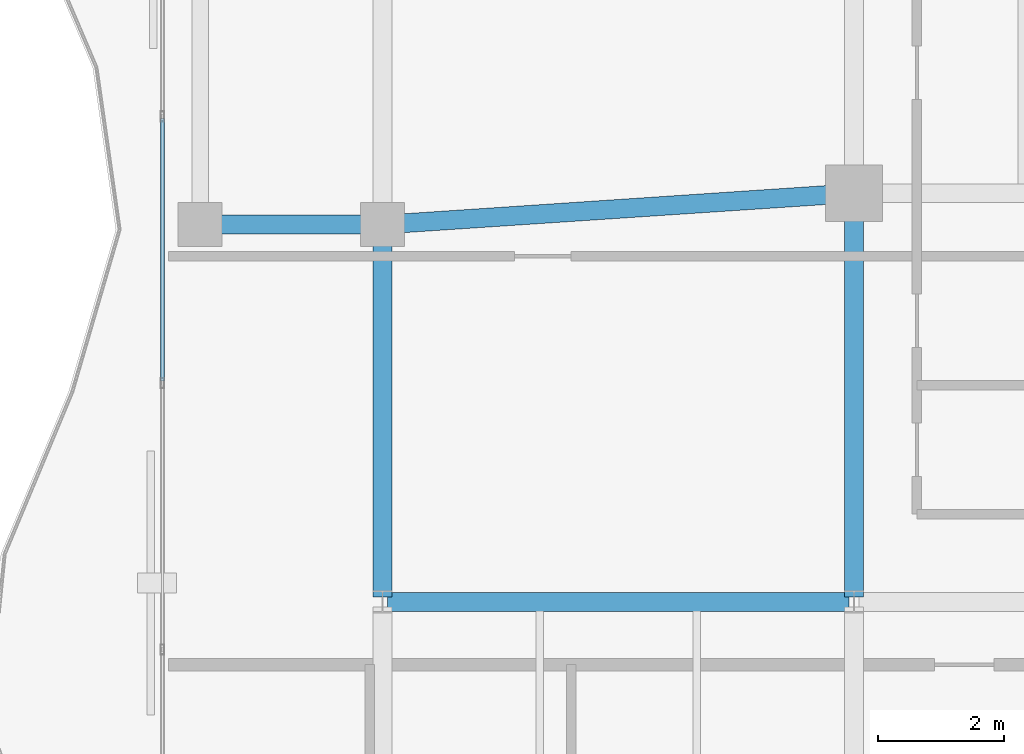
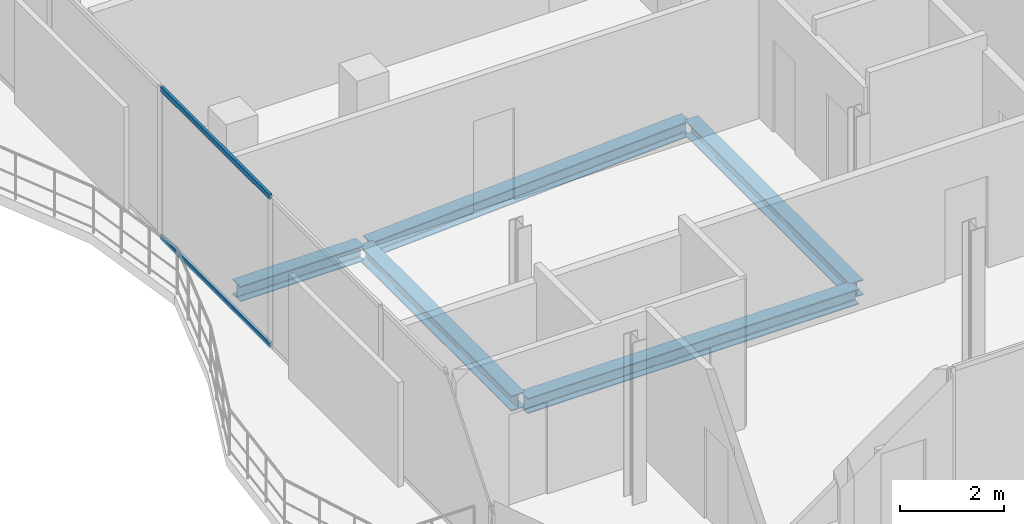
# One storey, part 6 of 22: 5 beams, 2 members, 1 element without a shape of its own.
"""IFC4 building model written with IfcOpenShell, lengths in metres."""

from ifc_helpers import new_model, si_unit, direction, frame, origin, origin_2d, place, context, subcontext, project, spatial, hollow_rectangle, i_section, extrude, material, layer, layer_set, material_profile, profile_set, type_object, element, aggregate, save


model = new_model("IFC4")

# Units and contexts
model_context = context("Model", 3, precision=1e-05, world=origin(), true_north=direction((0.0, 1.0)))
body_context = subcontext(model_context, "Body", "Model", "MODEL_VIEW")
ifc_project = project(units=[si_unit("LENGTHUNIT", "METRE"), si_unit("AREAUNIT", "SQUARE_METRE"), si_unit("VOLUMEUNIT", "CUBIC_METRE"), si_unit("PLANEANGLEUNIT", "RADIAN"), si_unit("MASSUNIT", "GRAM", prefix="KILO")], contexts=[model_context])

# Site, building, storey
site_placement = place(None, origin())
site = spatial("IfcSite", under=ifc_project, at=site_placement, CompositionType="ELEMENT")
building_placement = place(site_placement, origin())
building = spatial("IfcBuilding", under=site, at=building_placement, Name="Catumbela Crestline Tower", CompositionType="ELEMENT")
storey_placement = place(building_placement, frame((0.0, 0.0, 260.2)))
storey = spatial("IfcBuildingStorey", under=building, at=storey_placement, Name="L67", CompositionType="ELEMENT", Elevation=260.2)

# Beams
ifc_material_1 = material(Name="Structural steel S355J2", Category="steel")
ifc_material_profile_1 = material_profile(ifc_material_1, i_section(OverallWidth=0.3, OverallDepth=0.36, WebThickness=0.0125, FlangeThickness=0.0225, FilletRadius=0.027, at=origin_2d()), Name="HEB 360")
ifc_profile_set_1 = profile_set([ifc_material_profile_1], Name="Structural steel S355J2")
beam_type = type_object("IfcBeamType", Name="BG-HEB360", PredefinedType="BEAM", material=ifc_profile_set_1)
beam_1_placement = place(storey_placement, frame((5.68, 24.0, -0.44), z_axis=(1.0, 0.0, 0.0), x_axis=(0.0, 1.0, 0.0)))
element("IfcBeam", 1, at=beam_1_placement, inside=storey, type_object=beam_type, Name="L67 Beam BM-L67-S01", PredefinedType="BEAM", context=body_context, shape_type="SweptSolid", body=[
    extrude(i_section(OverallWidth=0.3, OverallDepth=0.36, WebThickness=0.0125, FlangeThickness=0.0225, FilletRadius=0.027, at=origin_2d()), origin(), (0.0, 0.0, 1.0), 2.74),
])
beam_2_placement = place(storey_placement, frame((8.5798, 24.0053, -0.44), z_axis=(0.997784796964, 0.066524423687, 0.0), x_axis=(-0.066524423687, 0.997784796964, 0.0)))
element("IfcBeam", 2, at=beam_2_placement, inside=storey, type_object=beam_type, Name="L67 Beam BM-L67-S02", PredefinedType="BEAM", context=body_context, shape_type="SweptSolid", body=[
    extrude(i_section(OverallWidth=0.3, OverallDepth=0.36, WebThickness=0.0125, FlangeThickness=0.0225, FilletRadius=0.027, at=origin_2d()), origin(), (0.0, 0.0, 1.0), 7.3567),
])
beam_3_placement = place(storey_placement, frame((8.58, 18.0, -0.44), z_axis=(1.0, 0.0, 0.0), x_axis=(0.0, 1.0, 0.0)))
element("IfcBeam", 3, at=beam_3_placement, inside=storey, type_object=beam_type, Name="L67 Beam BM-L67-WEW28", PredefinedType="BEAM", context=body_context, shape_type="SweptSolid", body=[
    extrude(i_section(OverallWidth=0.3, OverallDepth=0.36, WebThickness=0.0125, FlangeThickness=0.0225, FilletRadius=0.027, at=origin_2d()), origin(), (0.0, 0.0, 1.0), 7.34),
])
beam_4_placement = place(storey_placement, frame((8.5, 18.08, -0.44), z_axis=(0.0, 1.0, 0.0), x_axis=(-1.0, 0.0, 0.0)))
element("IfcBeam", 4, at=beam_4_placement, inside=storey, type_object=beam_type, Name="L67 Beam BM-L67-WNS31", PredefinedType="BEAM", context=body_context, shape_type="SweptSolid", body=[
    extrude(i_section(OverallWidth=0.3, OverallDepth=0.36, WebThickness=0.0125, FlangeThickness=0.0225, FilletRadius=0.027, at=origin_2d()), origin(), (0.0, 0.0, 1.0), 5.84),
])
beam_5_placement = place(storey_placement, frame((16.0, 18.08, -0.44), z_axis=(0.0, 1.0, 0.0), x_axis=(-1.0, 0.0, 0.0)))
element("IfcBeam", 5, at=beam_5_placement, inside=storey, type_object=beam_type, Name="L67 Beam BM-L67-WNS33", PredefinedType="BEAM", context=body_context, shape_type="SweptSolid", body=[
    extrude(i_section(OverallWidth=0.3, OverallDepth=0.36, WebThickness=0.0125, FlangeThickness=0.0225, FilletRadius=0.027, at=origin_2d()), origin(), (0.0, 0.0, 1.0), 6.34),
])

# Curtain wall, members
ifc_material_2 = material(Name="Aluminium alloy AW-6060-T66", Category="aluminium")
ifc_layer = layer(ifc_material_2, 0.18, Name="Aluminium alloy AW-6060-T66")
ifc_layer_set = layer_set([ifc_layer], Name="Aluminium alloy AW-6060-T66")
curtain_wall_type = type_object("IfcCurtainWallType", Name="CWU-Z4", PredefinedType="USERDEFINED", material=ifc_layer_set)
curtain_wall_placement = place(storey_placement, origin())
curtain_wall = element("IfcCurtainWall", 6, at=curtain_wall_placement, inside=storey, type_object=curtain_wall_type, Name="L67 Unitised Curtain Wall CW-L67-E9S2", ObjectType="UNITISED", PredefinedType="USERDEFINED")
ifc_material_profile_2 = material_profile(ifc_material_2, hollow_rectangle(XDim=0.06, YDim=0.12, WallThickness=0.0035, at=origin_2d()), Name="ALU 120x60x3.5")
ifc_profile_set_2 = profile_set([ifc_material_profile_2], Name="Aluminium alloy AW-6060-T66")
member_type = type_object("IfcMemberType", Name="TRN-120X60", PredefinedType="USERDEFINED", material=ifc_profile_set_2)
member_1_placement = place(storey_placement, frame((5.0, 25.6875, 0.03), z_axis=(0.0, -1.0, 0.0), x_axis=(1.0, 0.0, 0.0)))
member_1 = element("IfcMember", 7, at=member_1_placement, type_object=member_type, Name="CWU-Z4 transom 3.1", ObjectType="TRANSOM", PredefinedType="USERDEFINED", context=body_context, shape_type="SweptSolid", body=[
    extrude(hollow_rectangle(XDim=0.06, YDim=0.12, WallThickness=0.0035, at=origin_2d()), origin(), (0.0, 0.0, 1.0), 4.175),
])
member_2_placement = place(storey_placement, frame((5.0, 25.6875, 3.5), z_axis=(0.0, -1.0, 0.0), x_axis=(1.0, 0.0, 0.0)))
member_2 = element("IfcMember", 8, at=member_2_placement, type_object=member_type, Name="CWU-Z4 transom 3.2", ObjectType="TRANSOM", PredefinedType="USERDEFINED", context=body_context, shape_type="SweptSolid", body=[
    extrude(hollow_rectangle(XDim=0.06, YDim=0.12, WallThickness=0.0035, at=origin_2d()), origin(), (0.0, 0.0, 1.0), 4.175),
])
aggregate(curtain_wall, [member_1, member_2])

save(model, "model.ifc")
